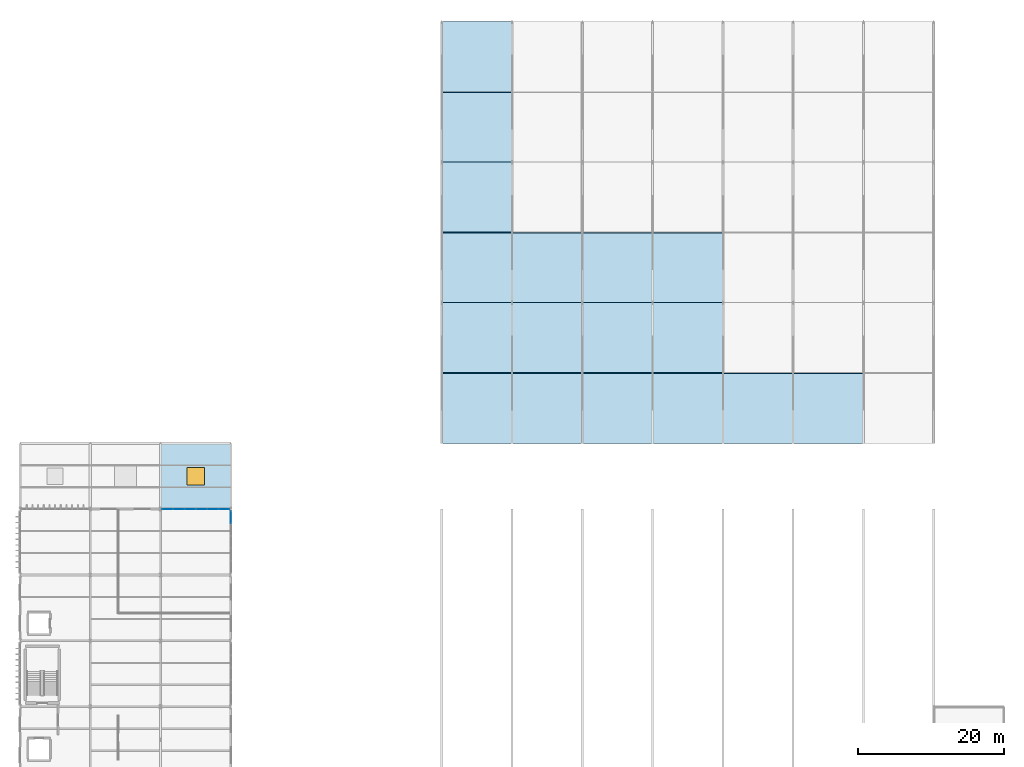
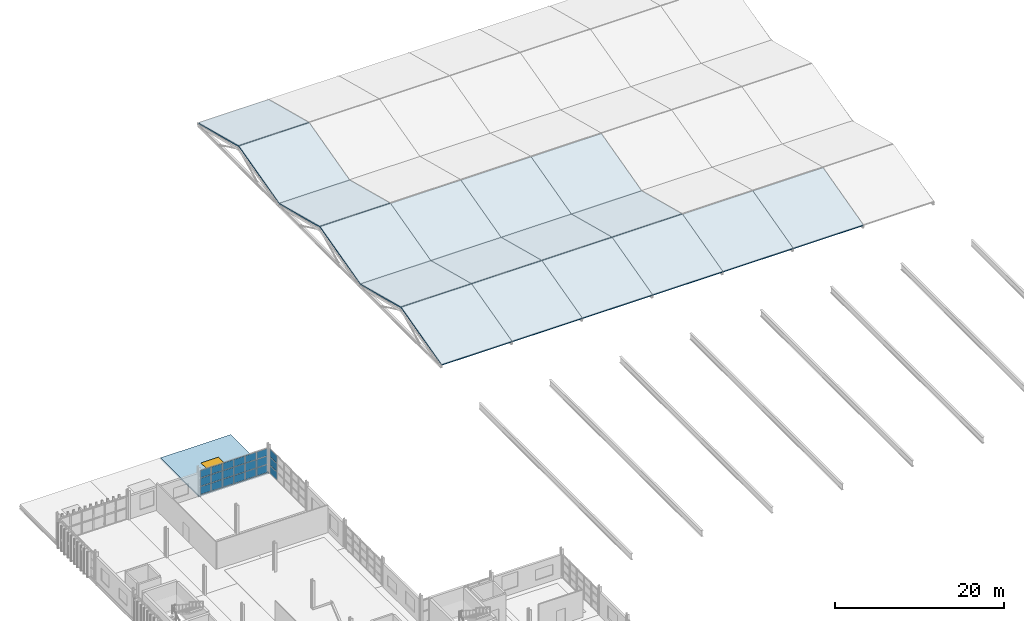
# One storey, part 21 of 52: 21 plates, 18 slabs, 1 window, 1 opening, 2 elements without a shape of their own.
"""IFC4 building model written with IfcOpenShell, lengths in metres."""

from ifc_helpers import new_model, si_unit, direction, frame, origin, origin_2d, place, context, subcontext, project, spatial, polyline, rectangle, outline, extrude, material, layer, layer_set, type_object, element, fill, aggregate, save


model = new_model("IFC4")

# Units and contexts
model_context = context("Model", 3, precision=1e-05, world=origin(), true_north=direction((0.0, 1.0)))
body_context = subcontext(model_context, "Body", "Model", "MODEL_VIEW")
ifc_project = project(units=[si_unit("LENGTHUNIT", "METRE"), si_unit("AREAUNIT", "SQUARE_METRE"), si_unit("VOLUMEUNIT", "CUBIC_METRE"), si_unit("PLANEANGLEUNIT", "RADIAN"), si_unit("MASSUNIT", "GRAM", prefix="KILO")], contexts=[model_context])

# Site, building, storey
site_placement = place(None, origin())
site = spatial("IfcSite", under=ifc_project, at=site_placement, CompositionType="ELEMENT")
building_placement = place(site_placement, origin())
building = spatial("IfcBuilding", under=site, at=building_placement, Name="Zarnetskaya Central Station", CompositionType="ELEMENT")
storey_placement = place(building_placement, frame((0.0, 0.0, 14.39990234375)))
storey = spatial("IfcBuildingStorey", under=building, at=storey_placement, Name="L03", CompositionType="ELEMENT", Elevation=14.39990234375)

# Curtain wall, plates
ifc_material_1 = material(Name="Low-E insulated glass", Category="glass")
ifc_layer_1 = layer(ifc_material_1, 0.1640625, Name="Low-E insulated glass", Category="glass")
ifc_layer_set_1 = layer_set([ifc_layer_1], Name="Low-E insulated glass")
curtain_wall_type_1 = type_object("IfcCurtainWallType", Name="CW-SYS-07", PredefinedType="USERDEFINED", material=ifc_layer_set_1)
curtain_wall_1_placement = place(storey_placement, origin())
curtain_wall_1 = element("IfcCurtainWall", 1, at=curtain_wall_1_placement, inside=storey, type_object=curtain_wall_type_1, Name="Curtain wall CW-L03-036", ObjectType="CURTAIN WALL", PredefinedType="USERDEFINED")
ifc_layer_2 = layer(ifc_material_1, 0.031982421875, Name="Low-E insulated glass", Category="glass")
ifc_layer_set_2 = layer_set([ifc_layer_2], Name="Low-E insulated glass")
plate_type_1 = type_object("IfcPlateType", Name="CW-PAN-32", PredefinedType="CURTAIN_PANEL", material=ifc_layer_set_2)
plate_1_placement = place(storey_placement, frame((20.14501953125, 58.199951171875, 0.080078125), z_axis=(0.0, 0.0, 1.0), x_axis=(1.0, 0.0, 0.0)))
plate_1 = element("IfcPlate", 2, at=plate_1_placement, type_object=plate_type_1, Name="CW-06 panel 1.1", PredefinedType="CURTAIN_PANEL", context=body_context, shape_type="SweptSolid", body=[
    extrude(rectangle(XDim=1.429931640625, YDim=0.031982421875, at=origin_2d()), origin(), (0.0, 0.0, 1.0), 1.10400390625),
])
plate_2_placement = place(storey_placement, frame((20.14501953125, 58.199951171875, 1.26416015625), z_axis=(0.0, 0.0, 1.0), x_axis=(1.0, 0.0, 0.0)))
plate_2 = element("IfcPlate", 3, at=plate_2_placement, type_object=plate_type_1, Name="CW-06 panel 1.2", PredefinedType="CURTAIN_PANEL", context=body_context, shape_type="SweptSolid", body=[
    extrude(rectangle(XDim=1.429931640625, YDim=0.031982421875, at=origin_2d()), origin(), (0.0, 0.0, 1.0), 1.14404296875),
])
plate_3_placement = place(storey_placement, frame((20.14501953125, 58.199951171875, 2.48828125), z_axis=(0.0, 0.0, 1.0), x_axis=(1.0, 0.0, 0.0)))
plate_3 = element("IfcPlate", 4, at=plate_3_placement, type_object=plate_type_1, Name="CW-06 panel 1.3", PredefinedType="CURTAIN_PANEL", context=body_context, shape_type="SweptSolid", body=[
    extrude(rectangle(XDim=1.429931640625, YDim=0.031982421875, at=origin_2d()), origin(), (0.0, 0.0, 1.0), 1.031982421875),
])
plate_4_placement = place(storey_placement, frame((21.675048828125, 58.199951171875, 0.080078125), z_axis=(0.0, 0.0, 1.0), x_axis=(1.0, 0.0, 0.0)))
plate_4 = element("IfcPlate", 5, at=plate_4_placement, type_object=plate_type_1, Name="CW-06 panel 2.1", PredefinedType="CURTAIN_PANEL", context=body_context, shape_type="SweptSolid", body=[
    extrude(rectangle(XDim=1.469970703125, YDim=0.031982421875, at=origin_2d()), origin(), (0.0, 0.0, 1.0), 1.10400390625),
])
plate_5_placement = place(storey_placement, frame((21.675048828125, 58.199951171875, 1.26416015625), z_axis=(0.0, 0.0, 1.0), x_axis=(1.0, 0.0, 0.0)))
plate_5 = element("IfcPlate", 6, at=plate_5_placement, type_object=plate_type_1, Name="CW-06 panel 2.2", PredefinedType="CURTAIN_PANEL", context=body_context, shape_type="SweptSolid", body=[
    extrude(rectangle(XDim=1.469970703125, YDim=0.031982421875, at=origin_2d()), origin(), (0.0, 0.0, 1.0), 1.14404296875),
])
plate_6_placement = place(storey_placement, frame((21.675048828125, 58.199951171875, 2.48828125), z_axis=(0.0, 0.0, 1.0), x_axis=(1.0, 0.0, 0.0)))
plate_6 = element("IfcPlate", 7, at=plate_6_placement, type_object=plate_type_1, Name="CW-06 panel 2.3", PredefinedType="CURTAIN_PANEL", context=body_context, shape_type="SweptSolid", body=[
    extrude(rectangle(XDim=1.469970703125, YDim=0.031982421875, at=origin_2d()), origin(), (0.0, 0.0, 1.0), 1.031982421875),
])
plate_7_placement = place(storey_placement, frame((23.22509765625, 58.199951171875, 0.080078125), z_axis=(0.0, 0.0, 1.0), x_axis=(1.0, 0.0, 0.0)))
plate_7 = element("IfcPlate", 8, at=plate_7_placement, type_object=plate_type_1, Name="CW-06 panel 3.1", PredefinedType="CURTAIN_PANEL", context=body_context, shape_type="SweptSolid", body=[
    extrude(rectangle(XDim=1.469970703125, YDim=0.031982421875, at=origin_2d()), origin(), (0.0, 0.0, 1.0), 1.10400390625),
])
plate_8_placement = place(storey_placement, frame((23.22509765625, 58.199951171875, 1.26416015625), z_axis=(0.0, 0.0, 1.0), x_axis=(1.0, 0.0, 0.0)))
plate_8 = element("IfcPlate", 9, at=plate_8_placement, type_object=plate_type_1, Name="CW-06 panel 3.2", PredefinedType="CURTAIN_PANEL", context=body_context, shape_type="SweptSolid", body=[
    extrude(rectangle(XDim=1.469970703125, YDim=0.031982421875, at=origin_2d()), origin(), (0.0, 0.0, 1.0), 1.14404296875),
])
plate_9_placement = place(storey_placement, frame((23.22509765625, 58.199951171875, 2.48828125), z_axis=(0.0, 0.0, 1.0), x_axis=(1.0, 0.0, 0.0)))
plate_9 = element("IfcPlate", 10, at=plate_9_placement, type_object=plate_type_1, Name="CW-06 panel 3.3", PredefinedType="CURTAIN_PANEL", context=body_context, shape_type="SweptSolid", body=[
    extrude(rectangle(XDim=1.469970703125, YDim=0.031982421875, at=origin_2d()), origin(), (0.0, 0.0, 1.0), 1.031982421875),
])
plate_10_placement = place(storey_placement, frame((24.77490234375, 58.199951171875, 0.080078125), z_axis=(0.0, 0.0, 1.0), x_axis=(1.0, 0.0, 0.0)))
plate_10 = element("IfcPlate", 11, at=plate_10_placement, type_object=plate_type_1, Name="CW-06 panel 4.1", PredefinedType="CURTAIN_PANEL", context=body_context, shape_type="SweptSolid", body=[
    extrude(rectangle(XDim=1.469970703125, YDim=0.031982421875, at=origin_2d()), origin(), (0.0, 0.0, 1.0), 1.10400390625),
])
plate_11_placement = place(storey_placement, frame((24.77490234375, 58.199951171875, 1.26416015625), z_axis=(0.0, 0.0, 1.0), x_axis=(1.0, 0.0, 0.0)))
plate_11 = element("IfcPlate", 12, at=plate_11_placement, type_object=plate_type_1, Name="CW-06 panel 4.2", PredefinedType="CURTAIN_PANEL", context=body_context, shape_type="SweptSolid", body=[
    extrude(rectangle(XDim=1.469970703125, YDim=0.031982421875, at=origin_2d()), origin(), (0.0, 0.0, 1.0), 1.14404296875),
])
plate_12_placement = place(storey_placement, frame((24.77490234375, 58.199951171875, 2.48828125), z_axis=(0.0, 0.0, 1.0), x_axis=(1.0, 0.0, 0.0)))
plate_12 = element("IfcPlate", 13, at=plate_12_placement, type_object=plate_type_1, Name="CW-06 panel 4.3", PredefinedType="CURTAIN_PANEL", context=body_context, shape_type="SweptSolid", body=[
    extrude(rectangle(XDim=1.469970703125, YDim=0.031982421875, at=origin_2d()), origin(), (0.0, 0.0, 1.0), 1.031982421875),
])
plate_13_placement = place(storey_placement, frame((26.324951171875, 58.199951171875, 0.080078125), z_axis=(0.0, 0.0, 1.0), x_axis=(1.0, 0.0, 0.0)))
plate_13 = element("IfcPlate", 14, at=plate_13_placement, type_object=plate_type_1, Name="CW-06 panel 5.1", PredefinedType="CURTAIN_PANEL", context=body_context, shape_type="SweptSolid", body=[
    extrude(rectangle(XDim=1.469970703125, YDim=0.031982421875, at=origin_2d()), origin(), (0.0, 0.0, 1.0), 1.10400390625),
])
plate_14_placement = place(storey_placement, frame((26.324951171875, 58.199951171875, 1.26416015625), z_axis=(0.0, 0.0, 1.0), x_axis=(1.0, 0.0, 0.0)))
plate_14 = element("IfcPlate", 15, at=plate_14_placement, type_object=plate_type_1, Name="CW-06 panel 5.2", PredefinedType="CURTAIN_PANEL", context=body_context, shape_type="SweptSolid", body=[
    extrude(rectangle(XDim=1.469970703125, YDim=0.031982421875, at=origin_2d()), origin(), (0.0, 0.0, 1.0), 1.14404296875),
])
plate_15_placement = place(storey_placement, frame((26.324951171875, 58.199951171875, 2.48828125), z_axis=(0.0, 0.0, 1.0), x_axis=(1.0, 0.0, 0.0)))
plate_15 = element("IfcPlate", 16, at=plate_15_placement, type_object=plate_type_1, Name="CW-06 panel 5.3", PredefinedType="CURTAIN_PANEL", context=body_context, shape_type="SweptSolid", body=[
    extrude(rectangle(XDim=1.469970703125, YDim=0.031982421875, at=origin_2d()), origin(), (0.0, 0.0, 1.0), 1.031982421875),
])
plate_16_placement = place(storey_placement, frame((27.85498046875, 58.199951171875, 0.080078125), z_axis=(0.0, 0.0, 1.0), x_axis=(1.0, 0.0, 0.0)))
plate_16 = element("IfcPlate", 17, at=plate_16_placement, type_object=plate_type_1, Name="CW-06 panel 6.1", PredefinedType="CURTAIN_PANEL", context=body_context, shape_type="SweptSolid", body=[
    extrude(rectangle(XDim=1.429931640625, YDim=0.031982421875, at=origin_2d()), origin(), (0.0, 0.0, 1.0), 1.10400390625),
])
plate_17_placement = place(storey_placement, frame((27.85498046875, 58.199951171875, 1.26416015625), z_axis=(0.0, 0.0, 1.0), x_axis=(1.0, 0.0, 0.0)))
plate_17 = element("IfcPlate", 18, at=plate_17_placement, type_object=plate_type_1, Name="CW-06 panel 6.2", PredefinedType="CURTAIN_PANEL", context=body_context, shape_type="SweptSolid", body=[
    extrude(rectangle(XDim=1.429931640625, YDim=0.031982421875, at=origin_2d()), origin(), (0.0, 0.0, 1.0), 1.14404296875),
])
plate_18_placement = place(storey_placement, frame((27.85498046875, 58.199951171875, 2.48828125), z_axis=(0.0, 0.0, 1.0), x_axis=(1.0, 0.0, 0.0)))
plate_18 = element("IfcPlate", 19, at=plate_18_placement, type_object=plate_type_1, Name="CW-06 panel 6.3", PredefinedType="CURTAIN_PANEL", context=body_context, shape_type="SweptSolid", body=[
    extrude(rectangle(XDim=1.429931640625, YDim=0.031982421875, at=origin_2d()), origin(), (0.0, 0.0, 1.0), 1.031982421875),
])
aggregate(curtain_wall_1, [plate_1, plate_2, plate_3, plate_4, plate_5, plate_6, plate_7, plate_8, plate_9, plate_10, plate_11, plate_12, plate_13, plate_14, plate_15, plate_16, plate_17, plate_18])

ifc_layer_3 = layer(ifc_material_1, 0.176025390625, Name="Low-E insulated glass", Category="glass")
ifc_layer_set_3 = layer_set([ifc_layer_3], Name="Low-E insulated glass")
curtain_wall_type_2 = type_object("IfcCurtainWallType", Name="CW-SYS-05", PredefinedType="USERDEFINED", material=ifc_layer_set_3)
curtain_wall_2_placement = place(storey_placement, origin())
curtain_wall_2 = element("IfcCurtainWall", 20, at=curtain_wall_2_placement, inside=storey, type_object=curtain_wall_type_2, Name="Curtain wall CW-L03-037", ObjectType="CURTAIN WALL", PredefinedType="USERDEFINED")
ifc_layer_4 = layer(ifc_material_1, 0.035888671875, Name="Low-E insulated glass", Category="glass")
ifc_layer_set_4 = layer_set([ifc_layer_4], Name="Low-E insulated glass")
plate_type_2 = type_object("IfcPlateType", Name="CW-PAN-36", PredefinedType="CURTAIN_PANEL", material=ifc_layer_set_4)
plate_19_placement = place(storey_placement, frame((28.800048828125, 57.08251953125, 0.0703125), z_axis=(0.0, 0.0, 1.0), x_axis=(0.0, -1.0, 0.0)))
plate_19 = element("IfcPlate", 21, at=plate_19_placement, type_object=plate_type_2, Name="CW-14 panel 1.1", PredefinedType="CURTAIN_PANEL", context=body_context, shape_type="SweptSolid", body=[
    extrude(rectangle(XDim=1.594970703125, YDim=0.035888671875, at=origin_2d()), origin(), (0.0, 0.0, 1.0), 1.118896484375),
])
plate_20_placement = place(storey_placement, frame((28.800048828125, 57.08251953125, 1.25927734375), z_axis=(0.0, 0.0, 1.0), x_axis=(0.0, -1.0, 0.0)))
plate_20 = element("IfcPlate", 22, at=plate_20_placement, type_object=plate_type_2, Name="CW-14 panel 1.2", PredefinedType="CURTAIN_PANEL", context=body_context, shape_type="SweptSolid", body=[
    extrude(rectangle(XDim=1.594970703125, YDim=0.035888671875, at=origin_2d()), origin(), (0.0, 0.0, 1.0), 1.154052734375),
])
plate_21_placement = place(storey_placement, frame((28.800048828125, 57.08251953125, 2.48291015625), z_axis=(0.0, 0.0, 1.0), x_axis=(0.0, -1.0, 0.0)))
plate_21 = element("IfcPlate", 23, at=plate_21_placement, type_object=plate_type_2, Name="CW-14 panel 1.3", PredefinedType="CURTAIN_PANEL", context=body_context, shape_type="SweptSolid", body=[
    extrude(rectangle(XDim=1.594970703125, YDim=0.035888671875, at=origin_2d()), origin(), (0.0, 0.0, 1.0), 1.047119140625),
])
aggregate(curtain_wall_2, [plate_19, plate_20, plate_21])

# Slab, opening, window
ifc_material_2 = material(Name="Concrete C30/37", Category="concrete")
ifc_layer_5 = layer(ifc_material_2, 0.2099609375, Name="Concrete C30/37", Category="concrete")
ifc_layer_set_5 = layer_set([ifc_layer_5], Name="Concrete C30/37")
slab_type_1 = type_object("IfcSlabType", Name="ROOF-FLAT-210", PredefinedType="ROOF", material=ifc_layer_set_5)
slab_1_placement = place(storey_placement, frame((0.0, 0.0, -0.2099609375)))
slab_1 = element("IfcSlab", 24, at=slab_1_placement, inside=storey, type_object=slab_type_1, Name="L03 slab C-D/8-9", PredefinedType="ROOF", context=body_context, shape_type="SweptSolid", body=[
    extrude(outline(polyline([(19.199951171875, 58.199951171875), (28.800048828125, 58.199951171875), (28.800048828125, 67.199951171875), (19.199951171875, 67.199951171875), (19.199951171875, 58.199951171875)])), origin(), (0.0, 0.0, 1.0), 0.2099609375),
])
opening_placement = place(slab_1_placement, frame((24.0, 62.699951171875, 0.0)))
opening = element("IfcOpeningElement", 25, at=opening_placement, cuts=slab_1, Name="Opening SK-06", PredefinedType="OPENING", context=body_context, shape_type="SweptSolid", body=[
    extrude(rectangle(XDim=2.39990234375, YDim=2.39990234375, at=origin_2d()), frame((0.0, 0.0, -0.010009765625)), (0.0, 0.0, 1.0), 0.22998046875),
])
window_type = type_object("IfcWindowType", Name="SKY-01", PartitioningType="SINGLE_PANEL", PredefinedType="SKYLIGHT", material=ifc_material_1)
window_placement = place(opening_placement, frame((0.0, 0.0, 0.159912109375)))
window = element("IfcWindow", 26, at=window_placement, inside=storey, type_object=window_type, Name="Insulated roof skylight 07", OverallHeight=2.39990234375, OverallWidth=2.39990234375, PartitioningType="SINGLE_PANEL", PredefinedType="SKYLIGHT", context=body_context, shape_type="SweptSolid", body=[
    extrude(rectangle(XDim=2.39990234375, YDim=2.39990234375, at=origin_2d()), origin(), (0.0, 0.0, 1.0), 0.050048828125),
])
fill(opening, window)

# Slabs
ifc_layer_6 = layer(ifc_material_2, 0.169921875, Name="Concrete C30/37", Category="concrete")
ifc_layer_set_6 = layer_set([ifc_layer_6], Name="Concrete C30/37")
slab_type_2 = type_object("IfcSlabType", Name="ROOF-SHED-170", PredefinedType="ROOF", material=ifc_layer_set_6)
slab_2_placement = place(storey_placement, frame((57.60009765625, 67.199951171875, 0.0), z_axis=(0.0, -0.251593020121, 0.967833122096), x_axis=(1.0, 0.0, 0.0)))
element("IfcSlab", 27, at=slab_2_placement, inside=storey, type_object=slab_type_2, Name="Train shed sloped roof deck SV1S-1", PredefinedType="ROOF", context=body_context, shape_type="SweptSolid", body=[
    extrude(outline(polyline([(0.0, 0.0), (9.599853515625, 0.0), (9.599853515625, 9.857111566752572), (0.0, 9.857111566752572), (0.0, 0.0)])), origin(), (0.0, 0.0, -1.0), 0.169921875),
])
slab_3_placement = place(storey_placement, frame((67.199951171875, 86.39990234375, 0.0), z_axis=(0.0, 0.251599051262, 0.967831554251), x_axis=(-1.0, 0.0, 0.0)))
element("IfcSlab", 28, at=slab_3_placement, inside=storey, type_object=slab_type_2, Name="Train shed sloped roof deck SV1N-1", PredefinedType="ROOF", context=body_context, shape_type="SweptSolid", body=[
    extrude(outline(polyline([(0.0, 0.0), (9.599853515625, 0.0), (9.599853515625, 9.856875279560635), (0.0, 9.856875279560635), (0.0, 0.0)])), origin(), (0.0, 0.0, -1.0), 0.169921875),
])
slab_4_placement = place(storey_placement, frame((67.199951171875, 67.199951171875, 0.0), z_axis=(0.0, -0.251593020121, 0.967833122096), x_axis=(1.0, 0.0, 0.0)))
element("IfcSlab", 29, at=slab_4_placement, inside=storey, type_object=slab_type_2, Name="Train shed sloped roof deck SV1S-2", PredefinedType="ROOF", context=body_context, shape_type="SweptSolid", body=[
    extrude(outline(polyline([(0.0, 0.0), (9.60009765625, 0.0), (9.60009765625, 9.857111566752572), (0.0, 9.857111566752572), (0.0, 0.0)])), origin(), (0.0, 0.0, -1.0), 0.169921875),
])
slab_5_placement = place(storey_placement, frame((76.800048828125, 86.39990234375, 0.0), z_axis=(0.0, 0.251599051262, 0.967831554251), x_axis=(-1.0, 0.0, 0.0)))
element("IfcSlab", 30, at=slab_5_placement, inside=storey, type_object=slab_type_2, Name="Train shed sloped roof deck SV1N-2", PredefinedType="ROOF", context=body_context, shape_type="SweptSolid", body=[
    extrude(outline(polyline([(0.0, 0.0), (9.60009765625, 0.0), (9.60009765625, 9.856875279560635), (0.0, 9.856875279560635), (0.0, 0.0)])), origin(), (0.0, 0.0, -1.0), 0.169921875),
])
slab_6_placement = place(storey_placement, frame((76.800048828125, 67.199951171875, 0.0), z_axis=(0.0, -0.251593020121, 0.967833122096), x_axis=(1.0, 0.0, 0.0)))
element("IfcSlab", 31, at=slab_6_placement, inside=storey, type_object=slab_type_2, Name="Train shed sloped roof deck SV1S-3", PredefinedType="ROOF", context=body_context, shape_type="SweptSolid", body=[
    extrude(outline(polyline([(0.0, 0.0), (9.599853515625, 0.0), (9.599853515625, 9.857111566752572), (0.0, 9.857111566752572), (0.0, 0.0)])), origin(), (0.0, 0.0, -1.0), 0.169921875),
])
slab_7_placement = place(storey_placement, frame((86.39990234375, 86.39990234375, 0.0), z_axis=(0.0, 0.251599051262, 0.967831554251), x_axis=(-1.0, 0.0, 0.0)))
element("IfcSlab", 32, at=slab_7_placement, inside=storey, type_object=slab_type_2, Name="Train shed sloped roof deck SV1N-3", PredefinedType="ROOF", context=body_context, shape_type="SweptSolid", body=[
    extrude(outline(polyline([(0.0, 0.0), (9.599853515625, 0.0), (9.599853515625, 9.856875279560635), (0.0, 9.856875279560635), (0.0, 0.0)])), origin(), (0.0, 0.0, -1.0), 0.169921875),
])
slab_8_placement = place(storey_placement, frame((86.39990234375, 67.199951171875, 0.0), z_axis=(0.0, -0.251593020121, 0.967833122096), x_axis=(1.0, 0.0, 0.0)))
element("IfcSlab", 33, at=slab_8_placement, inside=storey, type_object=slab_type_2, Name="Train shed sloped roof deck SV1S-4", PredefinedType="ROOF", context=body_context, shape_type="SweptSolid", body=[
    extrude(outline(polyline([(0.0, 0.0), (9.60009765625, 0.0), (9.60009765625, 9.857111566752572), (0.0, 9.857111566752572), (0.0, 0.0)])), origin(), (0.0, 0.0, -1.0), 0.169921875),
])
slab_9_placement = place(storey_placement, frame((96.0, 86.39990234375, 0.0), z_axis=(0.0, 0.251599051262, 0.967831554251), x_axis=(-1.0, 0.0, 0.0)))
element("IfcSlab", 34, at=slab_9_placement, inside=storey, type_object=slab_type_2, Name="Train shed sloped roof deck SV1N-4", PredefinedType="ROOF", context=body_context, shape_type="SweptSolid", body=[
    extrude(outline(polyline([(0.0, 0.0), (9.60009765625, 0.0), (9.60009765625, 9.856875279560635), (0.0, 9.856875279560635), (0.0, 0.0)])), origin(), (0.0, 0.0, -1.0), 0.169921875),
])
slab_10_placement = place(storey_placement, frame((96.0, 67.199951171875, 0.0), z_axis=(0.0, -0.251593020121, 0.967833122096), x_axis=(1.0, 0.0, 0.0)))
element("IfcSlab", 35, at=slab_10_placement, inside=storey, type_object=slab_type_2, Name="Train shed sloped roof deck SV1S-5", PredefinedType="ROOF", context=body_context, shape_type="SweptSolid", body=[
    extrude(outline(polyline([(0.0, 0.0), (9.60009765625, 0.0), (9.60009765625, 9.857111566752572), (0.0, 9.857111566752572), (0.0, 0.0)])), origin(), (0.0, 0.0, -1.0), 0.169921875),
])
for number, where, z_axis, x_axis, name in (
    (36, (105.60009765625, 67.199951171875, 0.0), (0.0, -0.251593020121, 0.967833122096), (1.0, 0.0, 0.0), "Train shed sloped roof deck SV1S-6"),
    (37, (57.60009765625, 86.39990234375, 0.0), (0.0, -0.251593020121, 0.967833122096), (1.0, 0.0, 0.0), "Train shed sloped roof deck SV2S-1"),
    (38, (67.199951171875, 105.60009765625, 0.0), (0.0, 0.251593020121, 0.967833122096), (-1.0, 0.0, 0.0), "Train shed sloped roof deck SV2N-1"),
):
    element("IfcSlab", number, at=place(storey_placement, frame(where, z_axis=z_axis, x_axis=x_axis)), inside=storey, type_object=slab_type_2, Name=name, PredefinedType="ROOF", context=body_context, shape_type="SweptSolid", body=[
        extrude(outline(polyline([(0.0, 0.0), (9.599853515625, 0.0), (9.599853515625, 9.857111566752572), (0.0, 9.857111566752572), (0.0, 0.0)])), origin(), (0.0, 0.0, -1.0), 0.169921875),
    ])
slab_11_placement = place(storey_placement, frame((67.199951171875, 86.39990234375, 0.0), z_axis=(0.0, -0.251593020121, 0.967833122096), x_axis=(1.0, 0.0, 0.0)))
element("IfcSlab", 39, at=slab_11_placement, inside=storey, type_object=slab_type_2, Name="Train shed sloped roof deck SV2S-2", PredefinedType="ROOF", context=body_context, shape_type="SweptSolid", body=[
    extrude(outline(polyline([(0.0, 0.0), (9.60009765625, 0.0), (9.60009765625, 9.857111566752572), (0.0, 9.857111566752572), (0.0, 0.0)])), origin(), (0.0, 0.0, -1.0), 0.169921875),
])
slab_12_placement = place(storey_placement, frame((76.800048828125, 86.39990234375, 0.0), z_axis=(0.0, -0.251593020121, 0.967833122096), x_axis=(1.0, 0.0, 0.0)))
element("IfcSlab", 40, at=slab_12_placement, inside=storey, type_object=slab_type_2, Name="Train shed sloped roof deck SV2S-3", PredefinedType="ROOF", context=body_context, shape_type="SweptSolid", body=[
    extrude(outline(polyline([(0.0, 0.0), (9.599853515625, 0.0), (9.599853515625, 9.857111566752572), (0.0, 9.857111566752572), (0.0, 0.0)])), origin(), (0.0, 0.0, -1.0), 0.169921875),
])
slab_13_placement = place(storey_placement, frame((86.39990234375, 86.39990234375, 0.0), z_axis=(0.0, -0.251593020121, 0.967833122096), x_axis=(1.0, 0.0, 0.0)))
element("IfcSlab", 41, at=slab_13_placement, inside=storey, type_object=slab_type_2, Name="Train shed sloped roof deck SV2S-4", PredefinedType="ROOF", context=body_context, shape_type="SweptSolid", body=[
    extrude(outline(polyline([(0.0, 0.0), (9.60009765625, 0.0), (9.60009765625, 9.857111566752572), (0.0, 9.857111566752572), (0.0, 0.0)])), origin(), (0.0, 0.0, -1.0), 0.169921875),
])
slab_14_placement = place(storey_placement, frame((57.60009765625, 105.60009765625, 0.0), z_axis=(0.0, -0.251599051262, 0.967831554251), x_axis=(1.0, 0.0, 0.0)))
element("IfcSlab", 42, at=slab_14_placement, inside=storey, type_object=slab_type_2, Name="Train shed sloped roof deck SV3S-1", PredefinedType="ROOF", context=body_context, shape_type="SweptSolid", body=[
    extrude(outline(polyline([(0.0, 0.0), (9.599853515625, 0.0), (9.599853515625, 9.856875279560635), (0.0, 9.856875279560635), (0.0, 0.0)])), origin(), (0.0, 0.0, -1.0), 0.169921875),
])
slab_15_placement = place(storey_placement, frame((67.199951171875, 124.800048828125, 0.0), z_axis=(0.0, 0.251593020121, 0.967833122096), x_axis=(-1.0, 0.0, 0.0)))
element("IfcSlab", 43, at=slab_15_placement, inside=storey, type_object=slab_type_2, Name="Train shed sloped roof deck SV3N-1", PredefinedType="ROOF", context=body_context, shape_type="SweptSolid", body=[
    extrude(outline(polyline([(0.0, 0.0), (9.599853515625, 0.0), (9.599853515625, 9.857111566752572), (0.0, 9.857111566752572), (0.0, 0.0)])), origin(), (0.0, 0.0, -1.0), 0.169921875),
])

save(model, "model.ifc")
